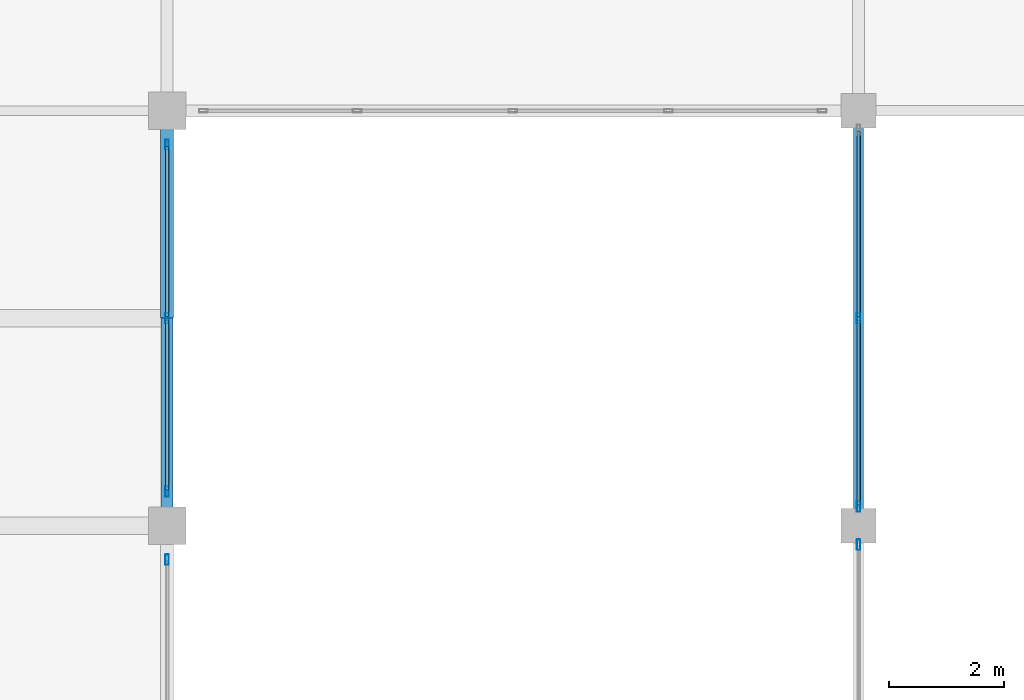
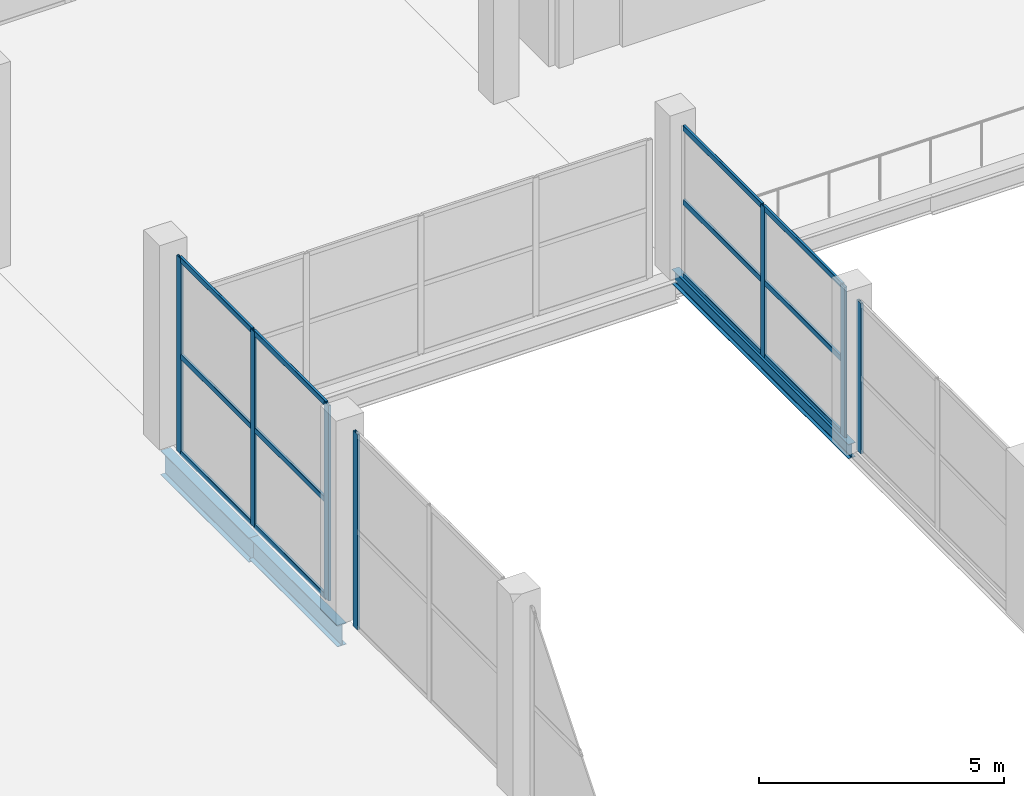
# One storey, part 61 of 127: 19 members, 3 beams, 4 elements without a shape of their own.
"""IFC4 building model written with IfcOpenShell, lengths in metres."""

from ifc_helpers import new_model, si_unit, direction, frame, origin, origin_2d, place, context, subcontext, project, spatial, hollow_rectangle, i_section, extrude, material, layer, layer_set, material_profile, profile_set, type_object, element, aggregate, save


model = new_model("IFC4")

# Units and contexts
model_context = context("Model", 3, precision=1e-05, world=origin(), true_north=direction((0.0, 1.0)))
body_context = subcontext(model_context, "Body", "Model", "MODEL_VIEW")
ifc_project = project(units=[si_unit("LENGTHUNIT", "METRE"), si_unit("AREAUNIT", "SQUARE_METRE"), si_unit("VOLUMEUNIT", "CUBIC_METRE"), si_unit("PLANEANGLEUNIT", "RADIAN"), si_unit("MASSUNIT", "GRAM", prefix="KILO")], contexts=[model_context])

# Site, building, storey
site_placement = place(None, origin())
site = spatial("IfcSite", under=ifc_project, at=site_placement, CompositionType="ELEMENT")
building_placement = place(site_placement, origin())
building = spatial("IfcBuilding", under=site, at=building_placement, Name="Dunvalen Ferry Terminal", CompositionType="ELEMENT")
storey_placement = place(building_placement, frame((0.0, 0.0, 5.760009765625)))
storey = spatial("IfcBuildingStorey", under=building, at=storey_placement, Name="L01", CompositionType="ELEMENT", Elevation=5.760009765625)

# Curtain wall, member
ifc_material_1 = material(Name="Anodised marine aluminium and solar-control glazing", Category="aluminium")
ifc_layer = layer(ifc_material_1, 0.219970703125, Name="Anodised marine aluminium and solar-control glazing")
ifc_layer_set = layer_set([ifc_layer], Name="Anodised marine aluminium and solar-control glazing")
curtain_wall_type = type_object("IfcCurtainWallType", Name="ENV-CW-SYS-04", PredefinedType="NOTDEFINED", material=ifc_layer_set)
curtain_wall_1_placement = place(storey_placement, origin())
curtain_wall_1 = element("IfcCurtainWall", 1, at=curtain_wall_1_placement, inside=storey, type_object=curtain_wall_type, Name="L01 Curtain Wall CW-V1E-L01-02", PredefinedType="NOTDEFINED")
ifc_material_2 = material(Name="Anodised marine aluminium EN AW-6063 T6", Category="aluminium")
ifc_material_profile_1 = material_profile(ifc_material_2, hollow_rectangle(XDim=0.06005859375, YDim=0.179931640625, WallThickness=0.00341796875, InnerFilletRadius=0.00341796875, OuterFilletRadius=0.007080078125, at=origin_2d()), Name="Anodised marine aluminium EN AW-6063 T6")
ifc_profile_set_1 = profile_set([ifc_material_profile_1], Name="Anodised marine aluminium EN AW-6063 T6")
member_type_1 = type_object("IfcMemberType", Name="ENV-CW-MUL-2", PredefinedType="MULLION", material=ifc_profile_set_1)
member_1_placement = place(storey_placement, frame((96.0, 64.2099609375, 0.0), z_axis=(0.0, 0.0, 1.0), x_axis=(-1.0, 0.0, 0.0)))
member_1 = element("IfcMember", 2, at=member_1_placement, type_object=member_type_1, Name="CW-04 mullion 3", PredefinedType="MULLION", context=body_context, shape_type="SweptSolid", body=[
    extrude(hollow_rectangle(XDim=0.06005859375, YDim=0.179931640625, WallThickness=0.00341796875, InnerFilletRadius=0.00341796875, OuterFilletRadius=0.007080078125, at=origin_2d()), origin(), (0.0, 0.0, 1.0), 4.860107421875),
])
aggregate(curtain_wall_1, [member_1])

# Curtain wall, members
curtain_wall_2_placement = place(storey_placement, origin())
curtain_wall_2 = element("IfcCurtainWall", 3, at=curtain_wall_2_placement, inside=storey, type_object=curtain_wall_type, Name="L01 Curtain Wall CW-V1E-L01-03", PredefinedType="NOTDEFINED")
member_2_placement = place(storey_placement, frame((96.0, 65.389892578125, 0.0), z_axis=(0.0, 0.0, 1.0), x_axis=(-1.0, 0.0, 0.0)))
member_2 = element("IfcMember", 4, at=member_2_placement, type_object=member_type_1, Name="CW-04 mullion 1", PredefinedType="MULLION", context=body_context, shape_type="SweptSolid", body=[
    extrude(hollow_rectangle(XDim=0.06005859375, YDim=0.179931640625, WallThickness=0.00341796875, InnerFilletRadius=0.00341796875, OuterFilletRadius=0.007080078125, at=origin_2d()), origin(), (0.0, 0.0, 1.0), 4.860107421875),
])
member_3_placement = place(storey_placement, frame((96.0, 68.39990234375, 0.0), z_axis=(0.0, 0.0, 1.0), x_axis=(-1.0, 0.0, 0.0)))
member_3 = element("IfcMember", 5, at=member_3_placement, type_object=member_type_1, Name="CW-04 mullion 2", PredefinedType="MULLION", context=body_context, shape_type="SweptSolid", body=[
    extrude(hollow_rectangle(XDim=0.06005859375, YDim=0.179931640625, WallThickness=0.00341796875, InnerFilletRadius=0.00341796875, OuterFilletRadius=0.007080078125, at=origin_2d()), origin(), (0.0, 0.0, 1.0), 4.860107421875),
])
member_4_placement = place(storey_placement, frame((96.0, 71.409912109375, 0.0), z_axis=(0.0, 0.0, 1.0), x_axis=(-1.0, 0.0, 0.0)))
member_4 = element("IfcMember", 6, at=member_4_placement, type_object=member_type_1, Name="CW-04 mullion 3", PredefinedType="MULLION", context=body_context, shape_type="SweptSolid", body=[
    extrude(hollow_rectangle(XDim=0.06005859375, YDim=0.179931640625, WallThickness=0.00341796875, InnerFilletRadius=0.00341796875, OuterFilletRadius=0.007080078125, at=origin_2d()), origin(), (0.0, 0.0, 1.0), 4.860107421875),
])

# Curtain wall, member
curtain_wall_3_placement = place(storey_placement, origin())
curtain_wall_3 = element("IfcCurtainWall", 7, at=curtain_wall_3_placement, inside=storey, type_object=curtain_wall_type, Name="L01 Curtain Wall CW-V2W-L01-1", PredefinedType="NOTDEFINED")
member_5_placement = place(storey_placement, frame((108.0, 64.469970703125, 0.02001953125), z_axis=(0.0, 0.0, 1.0), x_axis=(-1.0, 0.0, 0.0)))
member_5 = element("IfcMember", 8, at=member_5_placement, type_object=member_type_1, Name="CW-04 mullion 3", PredefinedType="MULLION", context=body_context, shape_type="SweptSolid", body=[
    extrude(hollow_rectangle(XDim=0.06005859375, YDim=0.179931640625, WallThickness=0.00341796875, InnerFilletRadius=0.00341796875, OuterFilletRadius=0.007080078125, at=origin_2d()), origin(), (0.0, 0.0, 1.0), 3.739990234375),
])
aggregate(curtain_wall_3, [member_5])

# Curtain wall, members
curtain_wall_4_placement = place(storey_placement, origin())
curtain_wall_4 = element("IfcCurtainWall", 9, at=curtain_wall_4_placement, inside=storey, type_object=curtain_wall_type, Name="L01 Curtain Wall CW-V2W-L01-2", PredefinedType="NOTDEFINED")
member_6_placement = place(storey_placement, frame((108.0, 65.1298828125, 0.02001953125), z_axis=(0.0, 0.0, 1.0), x_axis=(-1.0, 0.0, 0.0)))
member_6 = element("IfcMember", 10, at=member_6_placement, type_object=member_type_1, Name="CW-04 mullion 1", PredefinedType="MULLION", context=body_context, shape_type="SweptSolid", body=[
    extrude(hollow_rectangle(XDim=0.06005859375, YDim=0.179931640625, WallThickness=0.00341796875, InnerFilletRadius=0.00341796875, OuterFilletRadius=0.007080078125, at=origin_2d()), origin(), (0.0, 0.0, 1.0), 3.739990234375),
])
member_7_placement = place(storey_placement, frame((108.0, 68.39990234375, 0.02001953125), z_axis=(0.0, 0.0, 1.0), x_axis=(-1.0, 0.0, 0.0)))
member_7 = element("IfcMember", 11, at=member_7_placement, type_object=member_type_1, Name="CW-04 mullion 2", PredefinedType="MULLION", context=body_context, shape_type="SweptSolid", body=[
    extrude(hollow_rectangle(XDim=0.06005859375, YDim=0.179931640625, WallThickness=0.00341796875, InnerFilletRadius=0.00341796875, OuterFilletRadius=0.007080078125, at=origin_2d()), origin(), (0.0, 0.0, 1.0), 3.739990234375),
])

# Member
ifc_material_profile_2 = material_profile(ifc_material_2, hollow_rectangle(XDim=0.06005859375, YDim=0.135009765625, WallThickness=0.003173828125, InnerFilletRadius=0.003173828125, OuterFilletRadius=0.00634765625, at=origin_2d()), Name="Anodised marine aluminium EN AW-6063 T6")
ifc_profile_set_2 = profile_set([ifc_material_profile_2], Name="Anodised marine aluminium EN AW-6063 T6")
member_type_2 = type_object("IfcMemberType", Name="ENV-CW-TRN-2", PredefinedType="USERDEFINED", material=ifc_profile_set_2)
member_8_placement = place(storey_placement, frame((96.0, 65.419921875, 0.030029296875), z_axis=(0.0, 1.0, 0.0), x_axis=(-1.0, 0.0, 0.0)))
member_8 = element("IfcMember", 12, at=member_8_placement, type_object=member_type_2, Name="CW-04 transom 1.1", ObjectType="TRANSOM", PredefinedType="USERDEFINED", context=body_context, shape_type="SweptSolid", body=[
    extrude(hollow_rectangle(XDim=0.06005859375, YDim=0.135009765625, WallThickness=0.003173828125, InnerFilletRadius=0.003173828125, OuterFilletRadius=0.00634765625, at=origin_2d()), origin(), (0.0, 0.0, 1.0), 2.9501953125),
])

member_9_placement = place(storey_placement, frame((96.0, 65.419921875, 2.429931640625), z_axis=(0.0, 1.0, 0.0), x_axis=(-1.0, 0.0, 0.0)))
member_9 = element("IfcMember", 13, at=member_9_placement, type_object=member_type_2, Name="CW-04 transom 1.2", ObjectType="TRANSOM", PredefinedType="USERDEFINED", context=body_context, shape_type="SweptSolid", body=[
    extrude(hollow_rectangle(XDim=0.06005859375, YDim=0.135009765625, WallThickness=0.003173828125, InnerFilletRadius=0.003173828125, OuterFilletRadius=0.00634765625, at=origin_2d()), origin(), (0.0, 0.0, 1.0), 2.9501953125),
])

member_10_placement = place(storey_placement, frame((96.0, 65.419921875, 4.830078125), z_axis=(0.0, 1.0, 0.0), x_axis=(-1.0, 0.0, 0.0)))
member_10 = element("IfcMember", 14, at=member_10_placement, type_object=member_type_2, Name="CW-04 transom 1.3", ObjectType="TRANSOM", PredefinedType="USERDEFINED", context=body_context, shape_type="SweptSolid", body=[
    extrude(hollow_rectangle(XDim=0.06005859375, YDim=0.135009765625, WallThickness=0.003173828125, InnerFilletRadius=0.003173828125, OuterFilletRadius=0.00634765625, at=origin_2d()), origin(), (0.0, 0.0, 1.0), 2.9501953125),
])

member_11_placement = place(storey_placement, frame((96.0, 68.429931640625, 0.030029296875), z_axis=(0.0, 1.0, 0.0), x_axis=(-1.0, 0.0, 0.0)))
member_11 = element("IfcMember", 15, at=member_11_placement, type_object=member_type_2, Name="CW-04 transom 2.1", ObjectType="TRANSOM", PredefinedType="USERDEFINED", context=body_context, shape_type="SweptSolid", body=[
    extrude(hollow_rectangle(XDim=0.06005859375, YDim=0.135009765625, WallThickness=0.003173828125, InnerFilletRadius=0.003173828125, OuterFilletRadius=0.00634765625, at=origin_2d()), origin(), (0.0, 0.0, 1.0), 2.949951171875),
])

member_12_placement = place(storey_placement, frame((96.0, 68.429931640625, 2.429931640625), z_axis=(0.0, 1.0, 0.0), x_axis=(-1.0, 0.0, 0.0)))
member_12 = element("IfcMember", 16, at=member_12_placement, type_object=member_type_2, Name="CW-04 transom 2.2", ObjectType="TRANSOM", PredefinedType="USERDEFINED", context=body_context, shape_type="SweptSolid", body=[
    extrude(hollow_rectangle(XDim=0.06005859375, YDim=0.135009765625, WallThickness=0.003173828125, InnerFilletRadius=0.003173828125, OuterFilletRadius=0.00634765625, at=origin_2d()), origin(), (0.0, 0.0, 1.0), 2.949951171875),
])

member_13_placement = place(storey_placement, frame((96.0, 68.429931640625, 4.830078125), z_axis=(0.0, 1.0, 0.0), x_axis=(-1.0, 0.0, 0.0)))
member_13 = element("IfcMember", 17, at=member_13_placement, type_object=member_type_2, Name="CW-04 transom 2.3", ObjectType="TRANSOM", PredefinedType="USERDEFINED", context=body_context, shape_type="SweptSolid", body=[
    extrude(hollow_rectangle(XDim=0.06005859375, YDim=0.135009765625, WallThickness=0.003173828125, InnerFilletRadius=0.003173828125, OuterFilletRadius=0.00634765625, at=origin_2d()), origin(), (0.0, 0.0, 1.0), 2.949951171875),
])

aggregate(curtain_wall_2, [member_2, member_3, member_4, member_8, member_9, member_10, member_11, member_12, member_13])

member_14_placement = place(storey_placement, frame((108.0, 65.159912109375, 0.050048828125), z_axis=(0.0, 1.0, 0.0), x_axis=(-1.0, 0.0, 0.0)))
member_14 = element("IfcMember", 18, at=member_14_placement, type_object=member_type_2, Name="CW-04 transom 1.1", ObjectType="TRANSOM", PredefinedType="USERDEFINED", context=body_context, shape_type="SweptSolid", body=[
    extrude(hollow_rectangle(XDim=0.06005859375, YDim=0.135009765625, WallThickness=0.003173828125, InnerFilletRadius=0.003173828125, OuterFilletRadius=0.00634765625, at=origin_2d()), origin(), (0.0, 0.0, 1.0), 3.210205078125),
])

member_15_placement = place(storey_placement, frame((108.0, 65.159912109375, 1.889892578125), z_axis=(0.0, 1.0, 0.0), x_axis=(-1.0, 0.0, 0.0)))
member_15 = element("IfcMember", 19, at=member_15_placement, type_object=member_type_2, Name="CW-04 transom 1.2", ObjectType="TRANSOM", PredefinedType="USERDEFINED", context=body_context, shape_type="SweptSolid", body=[
    extrude(hollow_rectangle(XDim=0.06005859375, YDim=0.135009765625, WallThickness=0.003173828125, InnerFilletRadius=0.003173828125, OuterFilletRadius=0.00634765625, at=origin_2d()), origin(), (0.0, 0.0, 1.0), 3.210205078125),
])

member_16_placement = place(storey_placement, frame((108.0, 65.159912109375, 3.72998046875), z_axis=(0.0, 1.0, 0.0), x_axis=(-1.0, 0.0, 0.0)))
member_16 = element("IfcMember", 20, at=member_16_placement, type_object=member_type_2, Name="CW-04 transom 1.3", ObjectType="TRANSOM", PredefinedType="USERDEFINED", context=body_context, shape_type="SweptSolid", body=[
    extrude(hollow_rectangle(XDim=0.06005859375, YDim=0.135009765625, WallThickness=0.003173828125, InnerFilletRadius=0.003173828125, OuterFilletRadius=0.00634765625, at=origin_2d()), origin(), (0.0, 0.0, 1.0), 3.210205078125),
])

member_17_placement = place(storey_placement, frame((108.0, 68.429931640625, 0.050048828125), z_axis=(0.0, 1.0, 0.0), x_axis=(-1.0, 0.0, 0.0)))
member_17 = element("IfcMember", 21, at=member_17_placement, type_object=member_type_2, Name="CW-04 transom 2.1", ObjectType="TRANSOM", PredefinedType="USERDEFINED", context=body_context, shape_type="SweptSolid", body=[
    extrude(hollow_rectangle(XDim=0.06005859375, YDim=0.135009765625, WallThickness=0.003173828125, InnerFilletRadius=0.003173828125, OuterFilletRadius=0.00634765625, at=origin_2d()), origin(), (0.0, 0.0, 1.0), 3.2099609375),
])

member_18_placement = place(storey_placement, frame((108.0, 68.429931640625, 1.889892578125), z_axis=(0.0, 1.0, 0.0), x_axis=(-1.0, 0.0, 0.0)))
member_18 = element("IfcMember", 22, at=member_18_placement, type_object=member_type_2, Name="CW-04 transom 2.2", ObjectType="TRANSOM", PredefinedType="USERDEFINED", context=body_context, shape_type="SweptSolid", body=[
    extrude(hollow_rectangle(XDim=0.06005859375, YDim=0.135009765625, WallThickness=0.003173828125, InnerFilletRadius=0.003173828125, OuterFilletRadius=0.00634765625, at=origin_2d()), origin(), (0.0, 0.0, 1.0), 3.2099609375),
])

member_19_placement = place(storey_placement, frame((108.0, 68.429931640625, 3.72998046875), z_axis=(0.0, 1.0, 0.0), x_axis=(-1.0, 0.0, 0.0)))
member_19 = element("IfcMember", 23, at=member_19_placement, type_object=member_type_2, Name="CW-04 transom 2.3", ObjectType="TRANSOM", PredefinedType="USERDEFINED", context=body_context, shape_type="SweptSolid", body=[
    extrude(hollow_rectangle(XDim=0.06005859375, YDim=0.135009765625, WallThickness=0.003173828125, InnerFilletRadius=0.003173828125, OuterFilletRadius=0.00634765625, at=origin_2d()), origin(), (0.0, 0.0, 1.0), 3.2099609375),
])

aggregate(curtain_wall_4, [member_6, member_7, member_14, member_15, member_16, member_17, member_18, member_19])

# Beams
ifc_material_3 = material(Name="Steel S355", Category="steel")
ifc_material_profile_3 = material_profile(ifc_material_3, i_section(OverallWidth=0.169921875, OverallDepth=0.360107421875, WebThickness=0.008056640625, FlangeThickness=0.0126953125, FilletRadius=0.01806640625, at=origin_2d()), Name="Steel S355")
ifc_profile_set_3 = profile_set([ifc_material_profile_3], Name="Steel S355")
beam_type_1 = type_object("IfcBeamType", Name="STR-BM-IPE360", PredefinedType="BEAM", material=ifc_profile_set_3)
beam_1_placement = place(storey_placement, frame((108.0, 64.800048828125, -0.159912109375), z_axis=(0.0, 1.0, 0.0), x_axis=(-1.0, 0.0, 0.0)))
element("IfcBeam", 24, at=beam_1_placement, inside=storey, type_object=beam_type_1, Name="Arrivals Hall West Curtain-Wall Girt 2", PredefinedType="BEAM", context=body_context, shape_type="SweptSolid", body=[
    extrude(i_section(OverallWidth=0.169921875, OverallDepth=0.360107421875, WebThickness=0.008056640625, FlangeThickness=0.0126953125, FilletRadius=0.01806640625, at=origin_2d()), origin(), (0.0, 0.0, 1.0), 7.199951171875),
])
ifc_material_profile_4 = material_profile(ifc_material_3, i_section(OverallWidth=0.209228515625, OverallDepth=0.533203125, WebThickness=0.010009765625, FlangeThickness=0.015625, FilletRadius=0.0126953125, at=origin_2d()), Name="Steel S355")
ifc_profile_set_4 = profile_set([ifc_material_profile_4], Name="Steel S355")
beam_type_2 = type_object("IfcBeamType", Name="STR-BM-UKB533", PredefinedType="BEAM", material=ifc_profile_set_4)
beam_2_placement = place(storey_placement, frame((96.0, 64.800048828125, -0.546630859375), z_axis=(0.0, 1.0, 0.0), x_axis=(-1.0, 0.0, 0.0)))
element("IfcBeam", 25, at=beam_2_placement, inside=storey, type_object=beam_type_2, Name="L01 V1M Primary Girder Y-141", PredefinedType="BEAM", context=body_context, shape_type="SweptSolid", body=[
    extrude(i_section(OverallWidth=0.209228515625, OverallDepth=0.533203125, WebThickness=0.010009765625, FlangeThickness=0.015625, FilletRadius=0.0126953125, at=origin_2d()), origin(), (0.0, 0.0, 1.0), 3.599853515625),
])
ifc_material_profile_5 = material_profile(ifc_material_3, i_section(OverallWidth=0.228271484375, OverallDepth=0.607666015625, WebThickness=0.010986328125, FlangeThickness=0.017333984375, FilletRadius=0.0126953125, at=origin_2d()), Name="Steel S355")
ifc_profile_set_5 = profile_set([ifc_material_profile_5], Name="Steel S355")
beam_type_3 = type_object("IfcBeamType", Name="STR-BM-UKB610", PredefinedType="BEAM", material=ifc_profile_set_5)
beam_3_placement = place(storey_placement, frame((96.0, 68.39990234375, -0.583740234375), z_axis=(0.0, 1.0, 0.0), x_axis=(-1.0, 0.0, 0.0)))
element("IfcBeam", 26, at=beam_3_placement, inside=storey, type_object=beam_type_3, Name="L01 V1M Primary Girder Y-142", PredefinedType="BEAM", context=body_context, shape_type="SweptSolid", body=[
    extrude(i_section(OverallWidth=0.228271484375, OverallDepth=0.607666015625, WebThickness=0.010986328125, FlangeThickness=0.017333984375, FilletRadius=0.0126953125, at=origin_2d()), origin(), (0.0, 0.0, 1.0), 3.60009765625),
])

save(model, "model.ifc")
